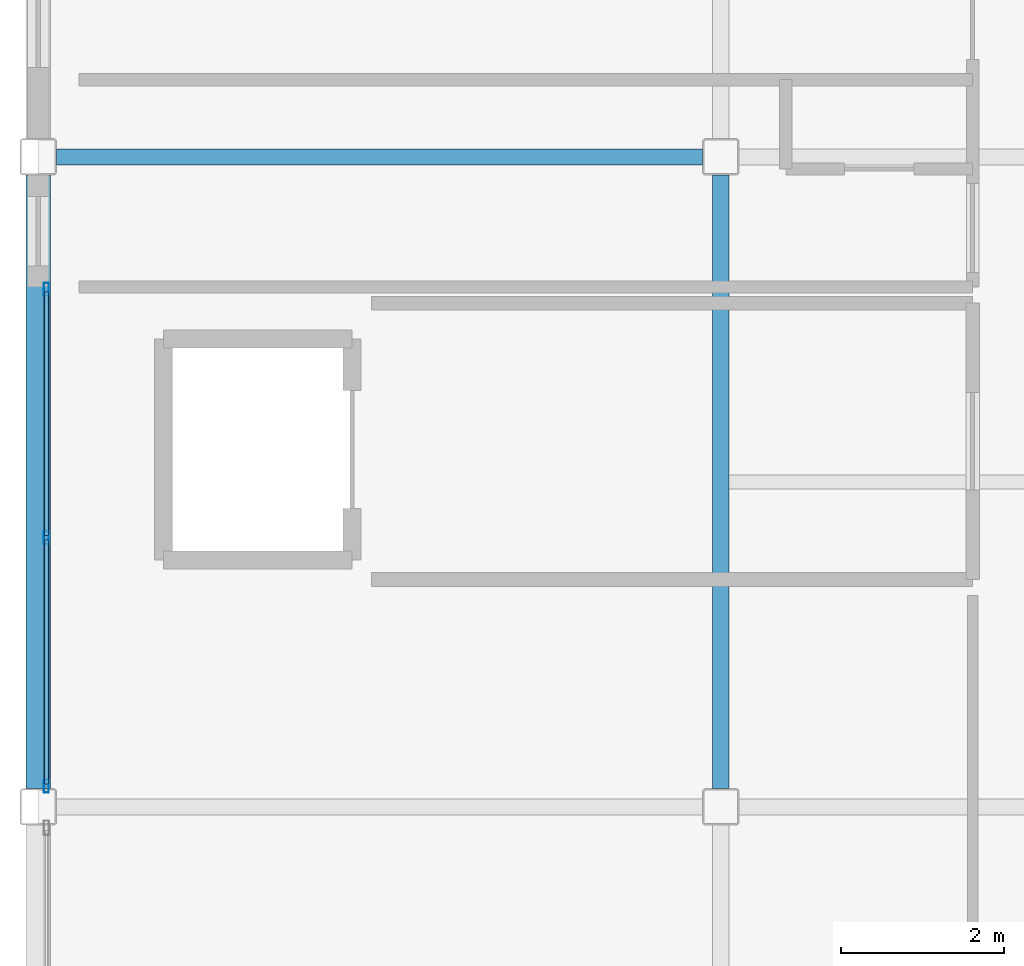
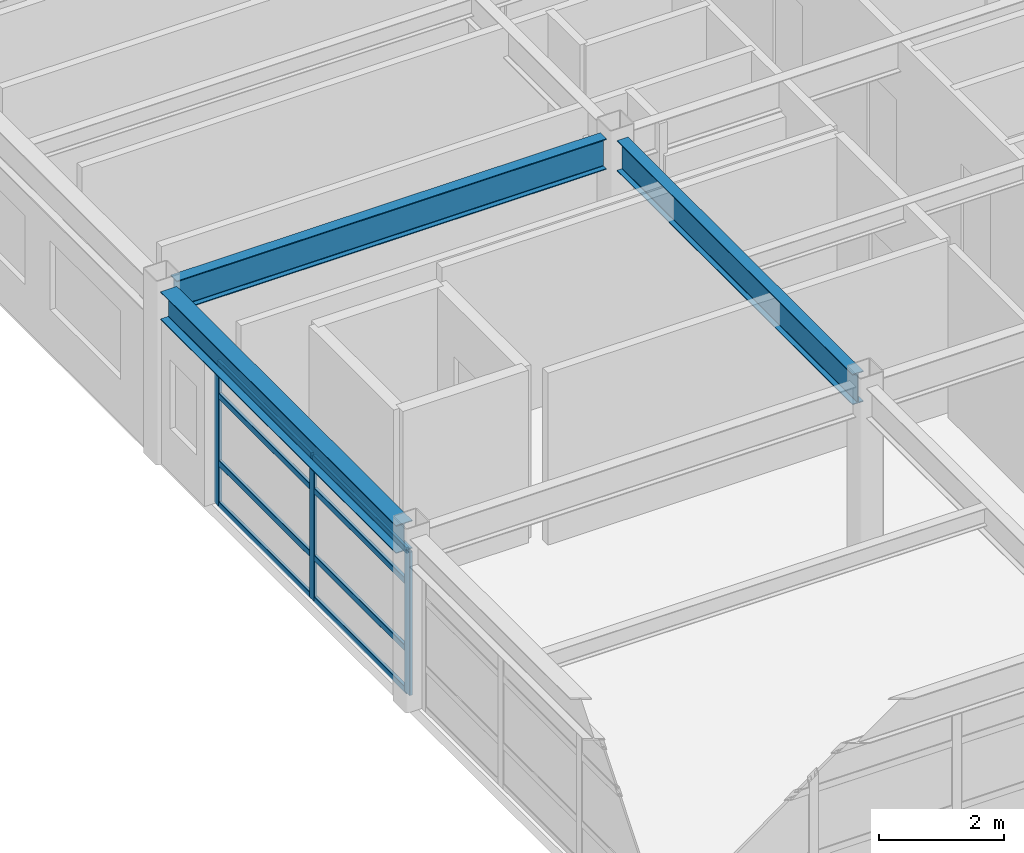
# One storey, part 7 of 28: 11 members, 3 beams, 1 element without a shape of its own.
"""IFC4 building model written with IfcOpenShell, lengths in metres."""

from ifc_helpers import new_model, si_unit, direction, frame, origin, origin_2d, place, context, subcontext, project, spatial, hollow_rectangle, i_section, extrude, material, layer, layer_set, material_profile, profile_set, type_object, element, aggregate, save


model = new_model("IFC4")

# Units and contexts
model_context = context("Model", 3, precision=1e-05, world=origin(), true_north=direction((0.0, 1.0)))
body_context = subcontext(model_context, "Body", "Model", "MODEL_VIEW")
ifc_project = project(units=[si_unit("LENGTHUNIT", "METRE"), si_unit("AREAUNIT", "SQUARE_METRE"), si_unit("VOLUMEUNIT", "CUBIC_METRE"), si_unit("PLANEANGLEUNIT", "RADIAN"), si_unit("MASSUNIT", "GRAM", prefix="KILO")], contexts=[model_context])

# Site, building, storey
site_placement = place(None, origin())
site = spatial("IfcSite", under=ifc_project, at=site_placement, CompositionType="ELEMENT")
building_placement = place(site_placement, origin())
building = spatial("IfcBuilding", under=site, at=building_placement, Name="Kazehara Bluff Congress Hotel", CompositionType="ELEMENT")
storey_placement = place(building_placement, frame((0.0, 0.0, 42.60009765625)))
storey = spatial("IfcBuildingStorey", under=building, at=storey_placement, Name="L10", CompositionType="ELEMENT", Elevation=42.60009765625)

# Curtain wall, members
ifc_material_1 = material(Name="Anodised aluminium", Category="aluminium")
ifc_layer = layer(ifc_material_1, 0.159912109375)
ifc_layer_set = layer_set([ifc_layer], Name="Anodised aluminium")
curtain_wall_type = type_object("IfcCurtainWallType", Name="TP-CW-202", PredefinedType="NOTDEFINED", material=ifc_layer_set)
curtain_wall_placement = place(storey_placement, origin())
curtain_wall = element("IfcCurtainWall", 1, at=curtain_wall_placement, inside=storey, type_object=curtain_wall_type, Name="L10 curtain wall CW-202 CW-ENC-V5-L10-14380-2731", PredefinedType="NOTDEFINED")
ifc_material_2 = material(Name="Anodised aluminium", Category="aluminium")
ifc_material_profile_1 = material_profile(ifc_material_2, hollow_rectangle(XDim=0.06005859375, YDim=0.159912109375, WallThickness=0.00390625, InnerFilletRadius=0.00390625, OuterFilletRadius=0.008056640625, at=origin_2d()))
ifc_profile_set_1 = profile_set([ifc_material_profile_1], Name="Anodised aluminium")
member_type_1 = type_object("IfcMemberType", Name="TP-CWM-01", PredefinedType="MULLION", material=ifc_profile_set_1)
member_1_placement = place(storey_placement, frame((143.800048828125, 24.2548828125, 0.0), z_axis=(0.0, 0.0, 1.0), x_axis=(-1.0, 0.0, 0.0)))
member_1 = element("IfcMember", 2, at=member_1_placement, type_object=member_type_1, Name="CW-202 mullion 1", PredefinedType="MULLION", context=body_context, shape_type="SweptSolid", body=[
    extrude(hollow_rectangle(XDim=0.06005859375, YDim=0.159912109375, WallThickness=0.00390625, InnerFilletRadius=0.00390625, OuterFilletRadius=0.008056640625, at=origin_2d()), origin(), (0.0, 0.0, 1.0), 2.804931640625),
])
member_2_placement = place(storey_placement, frame((143.800048828125, 27.3125, 0.0), z_axis=(0.0, 0.0, 1.0), x_axis=(-1.0, 0.0, 0.0)))
member_2 = element("IfcMember", 3, at=member_2_placement, type_object=member_type_1, Name="CW-202 mullion 2", PredefinedType="MULLION", context=body_context, shape_type="SweptSolid", body=[
    extrude(hollow_rectangle(XDim=0.06005859375, YDim=0.159912109375, WallThickness=0.00390625, InnerFilletRadius=0.00390625, OuterFilletRadius=0.008056640625, at=origin_2d()), origin(), (0.0, 0.0, 1.0), 2.804931640625),
])
member_3_placement = place(storey_placement, frame((143.800048828125, 30.3701171875, 0.0), z_axis=(0.0, 0.0, 1.0), x_axis=(-1.0, 0.0, 0.0)))
member_3 = element("IfcMember", 4, at=member_3_placement, type_object=member_type_1, Name="CW-202 mullion 3", PredefinedType="MULLION", context=body_context, shape_type="SweptSolid", body=[
    extrude(hollow_rectangle(XDim=0.06005859375, YDim=0.159912109375, WallThickness=0.00390625, InnerFilletRadius=0.00390625, OuterFilletRadius=0.008056640625, at=origin_2d()), origin(), (0.0, 0.0, 1.0), 2.804931640625),
])
ifc_material_3 = material(Name="Anodised aluminium", Category="aluminium")
ifc_material_profile_2 = material_profile(ifc_material_3, hollow_rectangle(XDim=0.06005859375, YDim=0.1201171875, WallThickness=0.00390625, InnerFilletRadius=0.00390625, OuterFilletRadius=0.008056640625, at=origin_2d()))
ifc_profile_set_2 = profile_set([ifc_material_profile_2], Name="Anodised aluminium")
member_type_2 = type_object("IfcMemberType", Name="TP-CWT-01", PredefinedType="USERDEFINED", material=ifc_profile_set_2)
member_4_placement = place(storey_placement, frame((143.800048828125, 24.284912109375, 0.02978515625), z_axis=(0.0, 1.0, 0.0), x_axis=(-1.0, 0.0, 0.0)))
member_4 = element("IfcMember", 5, at=member_4_placement, type_object=member_type_2, Name="CW-202 transom 1.1", ObjectType="TRANSOM", PredefinedType="USERDEFINED", context=body_context, shape_type="SweptSolid", body=[
    extrude(hollow_rectangle(XDim=0.06005859375, YDim=0.1201171875, WallThickness=0.00390625, InnerFilletRadius=0.00390625, OuterFilletRadius=0.008056640625, at=origin_2d()), origin(), (0.0, 0.0, 1.0), 2.99755859375),
])
member_5_placement = place(storey_placement, frame((143.800048828125, 24.284912109375, 0.83984375), z_axis=(0.0, 1.0, 0.0), x_axis=(-1.0, 0.0, 0.0)))
member_5 = element("IfcMember", 6, at=member_5_placement, type_object=member_type_2, Name="CW-202 transom 1.2", ObjectType="TRANSOM", PredefinedType="USERDEFINED", context=body_context, shape_type="SweptSolid", body=[
    extrude(hollow_rectangle(XDim=0.06005859375, YDim=0.1201171875, WallThickness=0.00390625, InnerFilletRadius=0.00390625, OuterFilletRadius=0.008056640625, at=origin_2d()), origin(), (0.0, 0.0, 1.0), 2.99755859375),
])
member_6_placement = place(storey_placement, frame((143.800048828125, 24.284912109375, 2.15478515625), z_axis=(0.0, 1.0, 0.0), x_axis=(-1.0, 0.0, 0.0)))
member_6 = element("IfcMember", 7, at=member_6_placement, type_object=member_type_2, Name="CW-202 transom 1.3", ObjectType="TRANSOM", PredefinedType="USERDEFINED", context=body_context, shape_type="SweptSolid", body=[
    extrude(hollow_rectangle(XDim=0.06005859375, YDim=0.1201171875, WallThickness=0.00390625, InnerFilletRadius=0.00390625, OuterFilletRadius=0.008056640625, at=origin_2d()), origin(), (0.0, 0.0, 1.0), 2.99755859375),
])
member_7_placement = place(storey_placement, frame((143.800048828125, 24.284912109375, 2.77490234375), z_axis=(0.0, 1.0, 0.0), x_axis=(-1.0, 0.0, 0.0)))
member_7 = element("IfcMember", 8, at=member_7_placement, type_object=member_type_2, Name="CW-202 transom 1.4", ObjectType="TRANSOM", PredefinedType="USERDEFINED", context=body_context, shape_type="SweptSolid", body=[
    extrude(hollow_rectangle(XDim=0.06005859375, YDim=0.1201171875, WallThickness=0.00390625, InnerFilletRadius=0.00390625, OuterFilletRadius=0.008056640625, at=origin_2d()), origin(), (0.0, 0.0, 1.0), 2.99755859375),
])
member_8_placement = place(storey_placement, frame((143.800048828125, 27.342529296875, 0.02978515625), z_axis=(0.0, 1.0, 0.0), x_axis=(-1.0, 0.0, 0.0)))
member_8 = element("IfcMember", 9, at=member_8_placement, type_object=member_type_2, Name="CW-202 transom 2.1", ObjectType="TRANSOM", PredefinedType="USERDEFINED", context=body_context, shape_type="SweptSolid", body=[
    extrude(hollow_rectangle(XDim=0.06005859375, YDim=0.1201171875, WallThickness=0.00390625, InnerFilletRadius=0.00390625, OuterFilletRadius=0.008056640625, at=origin_2d()), origin(), (0.0, 0.0, 1.0), 2.99755859375),
])
member_9_placement = place(storey_placement, frame((143.800048828125, 27.342529296875, 0.83984375), z_axis=(0.0, 1.0, 0.0), x_axis=(-1.0, 0.0, 0.0)))
member_9 = element("IfcMember", 10, at=member_9_placement, type_object=member_type_2, Name="CW-202 transom 2.2", ObjectType="TRANSOM", PredefinedType="USERDEFINED", context=body_context, shape_type="SweptSolid", body=[
    extrude(hollow_rectangle(XDim=0.06005859375, YDim=0.1201171875, WallThickness=0.00390625, InnerFilletRadius=0.00390625, OuterFilletRadius=0.008056640625, at=origin_2d()), origin(), (0.0, 0.0, 1.0), 2.99755859375),
])
member_10_placement = place(storey_placement, frame((143.800048828125, 27.342529296875, 2.15478515625), z_axis=(0.0, 1.0, 0.0), x_axis=(-1.0, 0.0, 0.0)))
member_10 = element("IfcMember", 11, at=member_10_placement, type_object=member_type_2, Name="CW-202 transom 2.3", ObjectType="TRANSOM", PredefinedType="USERDEFINED", context=body_context, shape_type="SweptSolid", body=[
    extrude(hollow_rectangle(XDim=0.06005859375, YDim=0.1201171875, WallThickness=0.00390625, InnerFilletRadius=0.00390625, OuterFilletRadius=0.008056640625, at=origin_2d()), origin(), (0.0, 0.0, 1.0), 2.99755859375),
])
member_11_placement = place(storey_placement, frame((143.800048828125, 27.342529296875, 2.77490234375), z_axis=(0.0, 1.0, 0.0), x_axis=(-1.0, 0.0, 0.0)))
member_11 = element("IfcMember", 12, at=member_11_placement, type_object=member_type_2, Name="CW-202 transom 2.4", ObjectType="TRANSOM", PredefinedType="USERDEFINED", context=body_context, shape_type="SweptSolid", body=[
    extrude(hollow_rectangle(XDim=0.06005859375, YDim=0.1201171875, WallThickness=0.00390625, InnerFilletRadius=0.00390625, OuterFilletRadius=0.008056640625, at=origin_2d()), origin(), (0.0, 0.0, 1.0), 2.99755859375),
])
aggregate(curtain_wall, [member_1, member_2, member_3, member_4, member_5, member_6, member_7, member_8, member_9, member_10, member_11])

# Beams
ifc_material_4 = material(Name="Steel SN490B", Category="steel")
ifc_material_profile_3 = material_profile(ifc_material_4, i_section(OverallWidth=0.199951171875, OverallDepth=0.60009765625, WebThickness=0.010986328125, FlangeThickness=0.01708984375, FilletRadius=0.012939453125, at=origin_2d()))
ifc_profile_set_3 = profile_set([ifc_material_profile_3], Name="Steel SN490B")
beam_type_1 = type_object("IfcBeamType", Name="TP-G-02", PredefinedType="BEAM", material=ifc_profile_set_3)
beam_1_placement = place(storey_placement, frame((152.10009765625, 24.22509765625, 3.079833984375), z_axis=(0.0, 1.0, 0.0), x_axis=(-1.0, 0.0, 0.0)))
element("IfcBeam", 13, at=beam_1_placement, inside=storey, type_object=beam_type_1, Name="L10 girder G-02 9", PredefinedType="BEAM", context=body_context, shape_type="SweptSolid", body=[
    extrude(i_section(OverallWidth=0.199951171875, OverallDepth=0.60009765625, WebThickness=0.010986328125, FlangeThickness=0.01708984375, FilletRadius=0.012939453125, at=origin_2d()), origin(), (0.0, 0.0, 1.0), 7.5498046875),
])
beam_2_placement = place(storey_placement, frame((143.925048828125, 32.0, 3.079833984375), z_axis=(1.0, 0.0, 0.0), x_axis=(0.0, 1.0, 0.0)))
element("IfcBeam", 14, at=beam_2_placement, inside=storey, type_object=beam_type_1, Name="L10 girder G-02 31", PredefinedType="BEAM", context=body_context, shape_type="SweptSolid", body=[
    extrude(i_section(OverallWidth=0.199951171875, OverallDepth=0.60009765625, WebThickness=0.010986328125, FlangeThickness=0.01708984375, FilletRadius=0.012939453125, at=origin_2d()), origin(), (0.0, 0.0, 1.0), 7.949951171875),
])
ifc_material_5 = material(Name="Steel SN490B", Category="steel")
ifc_material_profile_4 = material_profile(ifc_material_5, i_section(OverallWidth=0.300048828125, OverallDepth=0.550048828125, WebThickness=0.010986328125, FlangeThickness=0.01806640625, FilletRadius=0.012939453125, at=origin_2d()))
ifc_profile_set_4 = profile_set([ifc_material_profile_4], Name="Steel SN490B")
beam_type_2 = type_object("IfcBeamType", Name="TP-SP-01", PredefinedType="SPANDREL", material=ifc_profile_set_4)
beam_3_placement = place(storey_placement, frame((143.699951171875, 24.22509765625, 3.10498046875), z_axis=(0.0, 1.0, 0.0), x_axis=(-1.0, 0.0, 0.0)))
element("IfcBeam", 15, at=beam_3_placement, inside=storey, type_object=beam_type_2, Name="L10 girder SP-01 2", PredefinedType="SPANDREL", context=body_context, shape_type="SweptSolid", body=[
    extrude(i_section(OverallWidth=0.300048828125, OverallDepth=0.550048828125, WebThickness=0.010986328125, FlangeThickness=0.01806640625, FilletRadius=0.012939453125, at=origin_2d()), origin(), (0.0, 0.0, 1.0), 7.5498046875),
])

save(model, "model.ifc")
